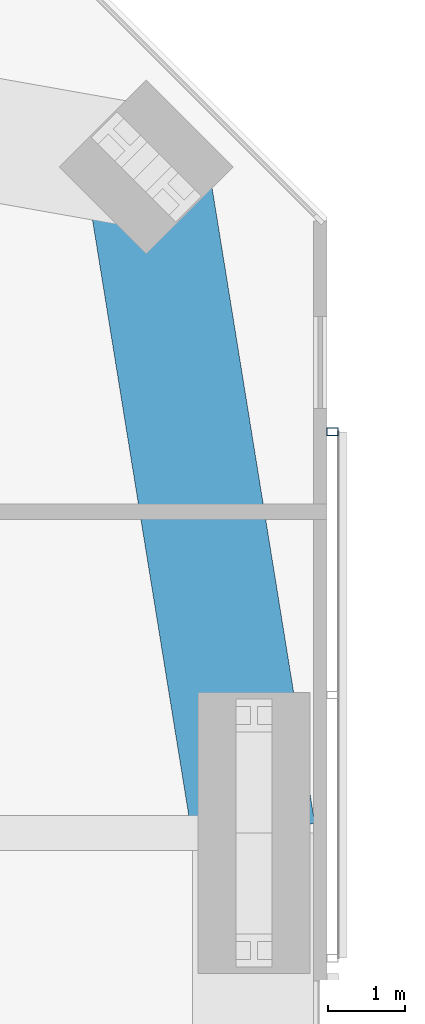
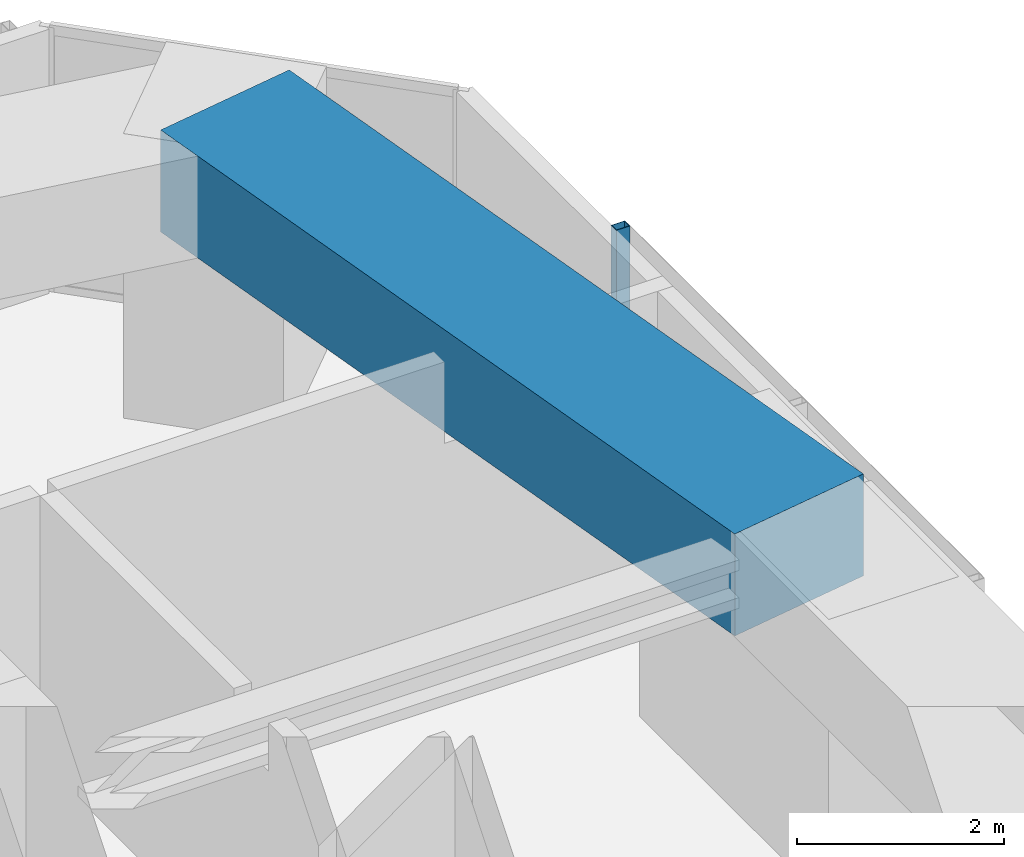
# One storey, part 9 of 22: 1 beam, 1 member, 1 element without a shape of its own.
"""IFC4 building model written with IfcOpenShell, lengths in metres."""

from ifc_helpers import new_model, si_unit, direction, frame, origin, origin_2d, place, context, subcontext, project, spatial, rectangle, hollow_rectangle, extrude, material, material_profile, profile_set, type_object, element, aggregate, save


model = new_model("IFC4")

# Units and contexts
model_context = context("Model", 3, precision=1e-05, world=origin(), true_north=direction((0.0, 1.0)))
body_context = subcontext(model_context, "Body", "Model", "MODEL_VIEW")
ifc_project = project(units=[si_unit("LENGTHUNIT", "METRE"), si_unit("AREAUNIT", "SQUARE_METRE"), si_unit("VOLUMEUNIT", "CUBIC_METRE"), si_unit("PLANEANGLEUNIT", "RADIAN"), si_unit("MASSUNIT", "GRAM", prefix="KILO")], contexts=[model_context])

# Site, building, storey
site_placement = place(None, origin())
site = spatial("IfcSite", under=ifc_project, at=site_placement, CompositionType="ELEMENT")
building_placement = place(site_placement, origin())
building = spatial("IfcBuilding", under=site, at=building_placement, Name="Jalousie Tower", CompositionType="ELEMENT")
storey_placement = place(building_placement, frame((0.0, 0.0, 201.25)))
storey = spatial("IfcBuildingStorey", under=building, at=storey_placement, Name="L55", CompositionType="ELEMENT", Elevation=201.25)

# Beam
ifc_material_1 = material(Name="Concrete f'c 40 MPa", Category="concrete")
ifc_material_profile_1 = material_profile(ifc_material_1, rectangle(XDim=1.60009765625, YDim=1.199951171875, at=origin_2d()), Name="RC 1600x1200")
ifc_profile_set_1 = profile_set([ifc_material_profile_1], Name="Concrete f'c 40 MPa")
beam_type = type_object("IfcBeamType", Name="RC BEAM 1600x1200", PredefinedType="BEAM", material=ifc_profile_set_1)
beam_placement = place(storey_placement, frame((52.050048828125, 25.0, 2.75), z_axis=(-0.159567878256, 0.987186959106, 0.0), x_axis=(-0.987186959106, -0.159567878256, 0.0)))
element("IfcBeam", 1, at=beam_placement, inside=storey, type_object=beam_type, Name="Edge band beam 07-08 under L56", PredefinedType="BEAM", context=body_context, shape_type="SweptSolid", body=[
    extrude(rectangle(XDim=1.60009765625, YDim=1.199951171875, at=origin_2d()), origin(), (0.0, 0.0, 1.0), 8.763916015625),
])

# Curtain wall, member
ifc_material_2 = material(Name="Perforated aluminium sheet", Category="aluminium")
curtain_wall_type = type_object("IfcCurtainWallType", Name="SOLAR SCREEN SS-1", PredefinedType="USERDEFINED", material=ifc_material_2)
curtain_wall_placement = place(storey_placement, origin())
curtain_wall = element("IfcCurtainWall", 2, at=curtain_wall_placement, inside=storey, type_object=curtain_wall_type, Name="Solar screen L55", ObjectType="SOLAR SCREEN SS-1", PredefinedType="USERDEFINED")
ifc_material_3 = material(Name="Steel ASTM A500 Grade C", Category="steel")
ifc_material_profile_2 = material_profile(ifc_material_3, hollow_rectangle(XDim=0.1015625, YDim=0.15234375, WallThickness=0.00634765625, at=origin_2d()), Name="HSS6X4X1/4")
ifc_profile_set_2 = profile_set([ifc_material_profile_2], Name="Steel ASTM A500 Grade C")
member_type = type_object("IfcMemberType", Name="SOLAR SCREEN SS-1 MULLION", PredefinedType="MULLION", material=ifc_profile_set_2)
member_placement = place(storey_placement, frame((53.0712890625, 30.2119140625, -0.1201171875), z_axis=(0.0, 0.0, 1.0), x_axis=(0.0, 1.0, 0.0)))
member = element("IfcMember", 3, at=member_placement, type_object=member_type, Name="SS1 post 3", PredefinedType="MULLION", context=body_context, shape_type="SweptSolid", body=[
    extrude(hollow_rectangle(XDim=0.1015625, YDim=0.15234375, WallThickness=0.00634765625, at=origin_2d()), origin(), (0.0, 0.0, 1.0), 3.230224609375),
])
aggregate(curtain_wall, [member])

save(model, "model.ifc")
